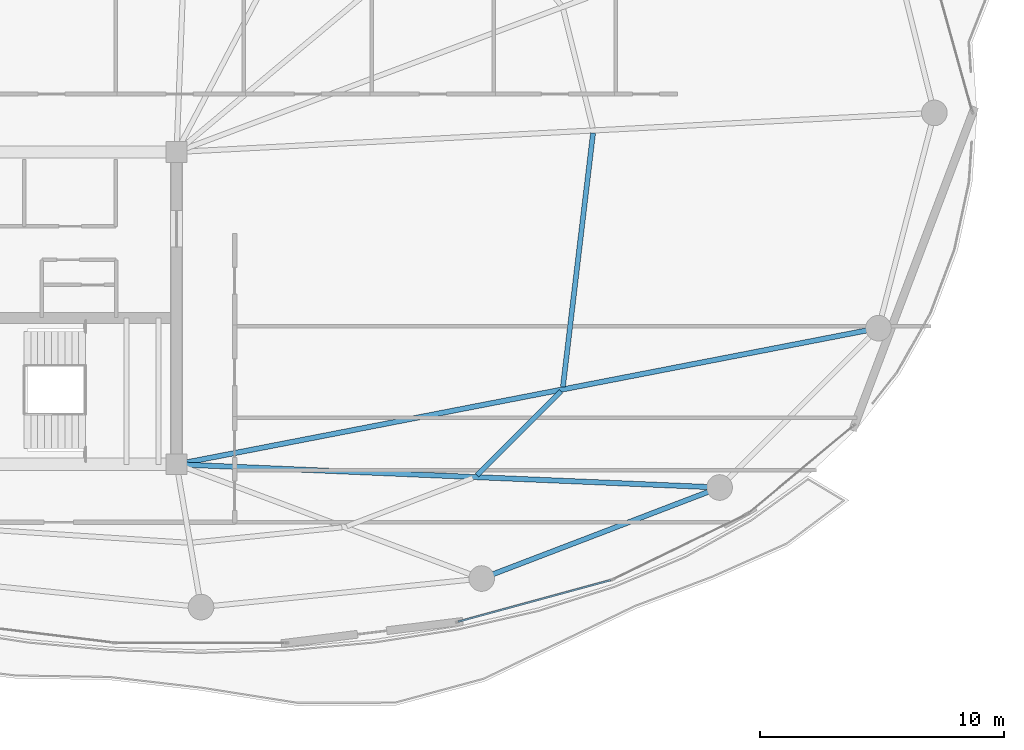
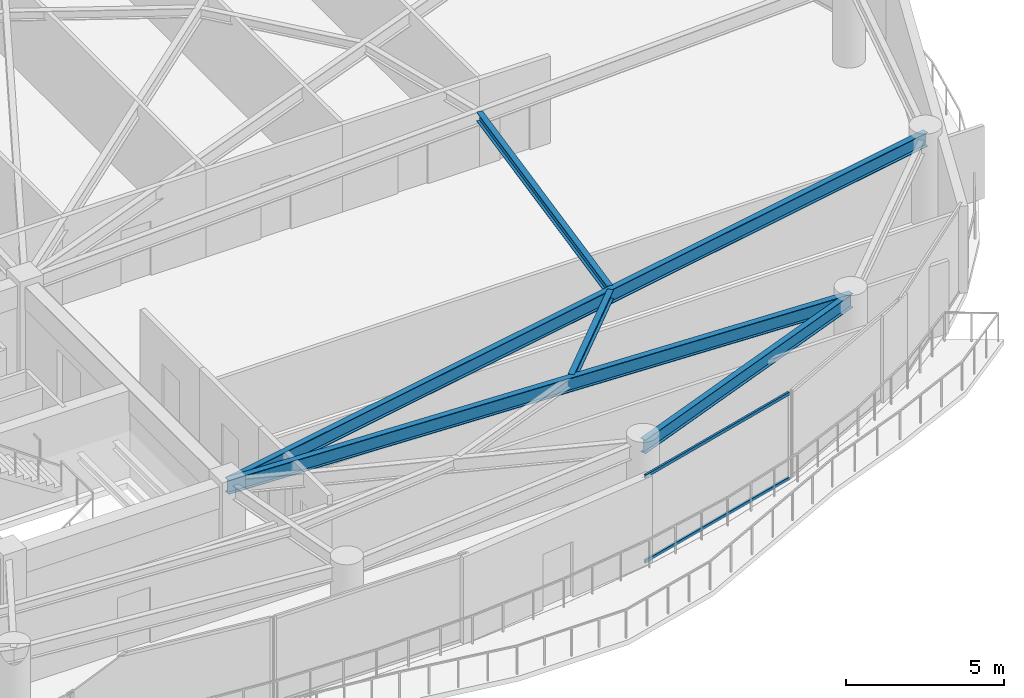
# One storey, part 11 of 29: 5 beams, 2 members, 1 element without a shape of its own.
"""IFC4 building model written with IfcOpenShell, lengths in metres."""

import ifcopenshell
import ifcopenshell.guid

model = None  # the IFC model being written
_history = None  # IfcOwnerHistory: only IFC2X3 demands one
_inside = {}  # id of a spatial element -> (the spatial element, [elements in it])
_under = {}  # id of a project, library or spatial element -> (it, [spatial elements below it])
_declared = {}  # id of a project -> (the project, [libraries it declares])
_typed = {}  # id of a type object -> (the type object, [elements of that type])
_made_of = {}  # id of a material, layer set ... -> (it, [elements and type objects made of it])


def new_model(schema):
    """Start an empty IFC model of exactly this schema.

    Asked for "IFC4X3", IfcOpenShell would pick the latest addendum, in which some entities
    have other attributes; the version numbers below select the first issue.
    IFC2X3 requires an IfcOwnerHistory on every rooted entity: one is made here for all.
    """
    global model, _history
    if schema == "IFC4X3":
        model = ifcopenshell.file(schema_version=(4, 3, 0, 0))
    else:
        model = ifcopenshell.file(schema=schema)
    _inside.clear()
    _under.clear()
    _declared.clear()
    _typed.clear()
    _made_of.clear()
    _history = None
    if model.schema == "IFC2X3":
        org = make("IfcOrganization", Name="unknown")
        user = make(
            "IfcPersonAndOrganization",
            ThePerson=make("IfcPerson", FamilyName="unknown"),
            TheOrganization=org,
        )
        app = make(
            "IfcApplication",
            ApplicationDeveloper=org,
            Version="unknown",
            ApplicationFullName="unknown",
            ApplicationIdentifier="unknown",
        )
        _history = make(
            "IfcOwnerHistory",
            OwningUser=user,
            OwningApplication=app,
            ChangeAction="ADDED",
            CreationDate=0,
        )
    return model


def make(cls, **values):
    """One entity of the class cls with the attributes given. An attribute that is None is left unset."""
    return model.create_entity(
        cls, **{name: value for name, value in values.items() if value is not None}
    )


def rooted(cls, **values):
    """An entity with a GlobalId (a new one), such as an element, a storey or a relation."""
    return make(cls, GlobalId=ifcopenshell.guid.new(), OwnerHistory=_history, **values)


def si_unit(unit_type, name, prefix=None):
    """IfcSIUnit, for example si_unit("LENGTHUNIT", "METRE", prefix="MILLI")."""
    return make("IfcSIUnit", UnitType=unit_type, Prefix=prefix, Name=name)


def assignment(units):
    """IfcUnitAssignment: the units of a project."""
    return None if units is None else make("IfcUnitAssignment", Units=units)


def point(xyz):
    """IfcCartesianPoint."""
    return None if xyz is None else make("IfcCartesianPoint", Coordinates=xyz)


def direction(xyz):
    """IfcDirection."""
    return None if xyz is None else make("IfcDirection", DirectionRatios=xyz)


def frame(location, z_axis=None, x_axis=None):
    """IfcAxis2Placement3D, a coordinate frame: its origin and axes. An axis left out is left unset."""
    return make(
        "IfcAxis2Placement3D",
        Location=point(location),
        Axis=direction(z_axis),
        RefDirection=direction(x_axis),
    )


def frame_2d(location, x_axis=None):
    """IfcAxis2Placement2D, a coordinate frame in the plane: its origin and x axis."""
    return make(
        "IfcAxis2Placement2D", Location=point(location), RefDirection=direction(x_axis)
    )


def origin():
    """The frame at (0, 0, 0) with its axes left unset."""
    return frame((0.0, 0.0, 0.0))


def origin_2d():
    """The frame at (0, 0) in the plane with its x axis left unset."""
    return frame_2d((0.0, 0.0))


def place(relative_to, where):
    """IfcLocalPlacement: puts the frame where relative to a parent placement (None: the world)."""
    return make(
        "IfcLocalPlacement", PlacementRelTo=relative_to, RelativePlacement=where
    )


def context(
    kind, dimensions, precision=None, world=None, true_north=None, identifier=None
):
    """IfcGeometricRepresentationContext, for example the 3D "Model" context."""
    return make(
        "IfcGeometricRepresentationContext",
        ContextIdentifier=identifier,
        ContextType=kind,
        CoordinateSpaceDimension=dimensions,
        Precision=precision,
        WorldCoordinateSystem=world,
        TrueNorth=true_north,
    )


def subcontext(parent, identifier, kind, view, scale=None):
    """IfcGeometricRepresentationSubContext, for example "Body" below "Model"."""
    return make(
        "IfcGeometricRepresentationSubContext",
        ContextIdentifier=identifier,
        ContextType=kind,
        ParentContext=parent,
        TargetScale=scale,
        TargetView=view,
    )


def project(units=None, contexts=None):
    """IfcProject with its units and contexts."""
    return rooted(
        "IfcProject",
        Name="project",
        RepresentationContexts=contexts,
        UnitsInContext=assignment(units),
    )


def spatial(cls, under=None, at=None, **own):
    """A site, building, storey or space (cls), placed at a placement, below another one or the project."""
    s = rooted(cls, ObjectPlacement=at, **own)
    if under is not None:
        _under.setdefault(under.id(), (under, []))[1].append(s)
    return s


def profile(cls, at=None, kind="AREA", **sizes):
    """A parametric profile (cls). Its sizes go by their IFC names, for example OverallWidth=200.0."""
    return make(cls, ProfileType=kind, Position=at, **sizes)


def hollow_rectangle(**sizes):
    """IfcRectangleHollowProfileDef."""
    return profile("IfcRectangleHollowProfileDef", **sizes)


def i_section(**sizes):
    """IfcIShapeProfileDef."""
    return profile("IfcIShapeProfileDef", **sizes)


def extrude(swept, where, along, depth):
    """IfcExtrudedAreaSolid: the profile swept, set in the frame where, extruded along a direction by depth."""
    return make(
        "IfcExtrudedAreaSolid",
        SweptArea=swept,
        Position=where,
        ExtrudedDirection=direction(along),
        Depth=depth,
    )


def shape(context_of_items, identifier, shape_type, items):
    """IfcShapeRepresentation: the items that make up one representation, for example the "Body"."""
    return make(
        "IfcShapeRepresentation",
        ContextOfItems=context_of_items,
        RepresentationIdentifier=identifier,
        RepresentationType=shape_type,
        Items=items,
    )


def material(Name=None, Category=None):
    """IfcMaterial."""
    return make("IfcMaterial", Name=Name, Category=Category)


def layer(
    of_material, thickness, ventilated=None, Name=None, Category=None, Priority=None
):
    """IfcMaterialLayer: one layer of a wall or slab, of a material (None: an air gap)."""
    return make(
        "IfcMaterialLayer",
        Material=of_material,
        LayerThickness=thickness,
        IsVentilated=ventilated,
        Name=Name,
        Category=Category,
        Priority=Priority,
    )


def layer_set(layers, Name=None):
    """IfcMaterialLayerSet."""
    return make("IfcMaterialLayerSet", MaterialLayers=layers, LayerSetName=Name)


def material_profile(
    of_material, cross_section, Name=None, Category=None, Priority=None
):
    """IfcMaterialProfile: a cross section and its material."""
    return make(
        "IfcMaterialProfile",
        Name=Name,
        Material=of_material,
        Profile=cross_section,
        Priority=Priority,
        Category=Category,
    )


def profile_set(profiles, Name=None, composite=None):
    """IfcMaterialProfileSet."""
    return make(
        "IfcMaterialProfileSet",
        Name=Name,
        MaterialProfiles=profiles,
        CompositeProfile=composite,
    )


def made_of(thing, what):
    """Note that an element or type object is made of a material, layer set ...; save() writes the relation."""
    if what is not None:
        _made_of.setdefault(what.id(), (what, []))[1].append(thing)
    return thing


def type_object(cls, material=None, **own):
    """A type object (cls), such as IfcWallType, which elements share."""
    return made_of(rooted(cls, **own), material)


def element(
    cls,
    number,
    at=None,
    inside=None,
    cuts=None,
    type_object=None,
    material=None,
    context=None,
    identifier="Body",
    shape_type=None,
    held_by="IfcProductDefinitionShape",
    body=None,
    shapes=None,
    **own,
):
    """One element of the class cls, such as IfcWall. Its Tag is "e" and its number.

    at: its placement. inside: the storey or other place that contains it. cuts: it is an
    opening in that element (IfcRelVoidsElement). A single representation is given by context,
    identifier, shape_type and body (its items); several are given by shapes. held_by: the class
    of the entity that holds the representations. save() writes the other relations.
    """
    e = rooted(cls, Tag="e%d" % number, ObjectPlacement=at, **own)
    if body is not None:
        shapes = [shape(context, identifier, shape_type, body)]
    if shapes is not None:
        e.Representation = make(held_by, Representations=shapes)
    if inside is not None:
        _inside.setdefault(inside.id(), (inside, []))[1].append(e)
    if cuts is not None:
        rooted(
            "IfcRelVoidsElement", RelatingBuildingElement=cuts, RelatedOpeningElement=e
        )
    if type_object is not None:
        _typed.setdefault(type_object.id(), (type_object, []))[1].append(e)
    return made_of(e, material)


def aggregate(whole, parts):
    """IfcRelAggregates: a whole, such as a stair, and the parts it consists of."""
    return rooted("IfcRelAggregates", RelatingObject=whole, RelatedObjects=parts)


def save(model, path):
    """Write the relations noted so far, then the file.

    IfcRelAggregates (storeys below a building ...), IfcRelContainedInSpatialStructure (elements
    in a storey), IfcRelDefinesByType, IfcRelAssociatesMaterial and IfcRelDeclares: one each for
    every whole, place, type object, material and project.
    """
    for whole, parts in _under.values():
        aggregate(whole, parts)
    for where, things in _inside.values():
        rooted(
            "IfcRelContainedInSpatialStructure",
            RelatedElements=things,
            RelatingStructure=where,
        )
    for kind, things in _typed.values():
        rooted("IfcRelDefinesByType", RelatedObjects=things, RelatingType=kind)
    for what, things in _made_of.values():
        rooted("IfcRelAssociatesMaterial", RelatedObjects=things, RelatingMaterial=what)
    for by, libraries in _declared.values():
        rooted("IfcRelDeclares", RelatingContext=by, RelatedDefinitions=libraries)
    model.write(path)


model = new_model("IFC4")

# Units and contexts
model_context = context("Model", 3, precision=1e-05, world=origin(), true_north=direction((0.0, 1.0)))
body_context = subcontext(model_context, "Body", "Model", "MODEL_VIEW")
ifc_project = project(units=[si_unit("LENGTHUNIT", "METRE"), si_unit("AREAUNIT", "SQUARE_METRE"), si_unit("VOLUMEUNIT", "CUBIC_METRE"), si_unit("PLANEANGLEUNIT", "RADIAN"), si_unit("MASSUNIT", "GRAM", prefix="KILO")], contexts=[model_context])

# Site, building, storey
site_placement = place(None, origin())
site = spatial("IfcSite", under=ifc_project, at=site_placement, CompositionType="ELEMENT")
building_placement = place(site_placement, origin())
building = spatial("IfcBuilding", under=site, at=building_placement, Name="Kazevale Care Tower and Concert Hall", CompositionType="ELEMENT")
storey_placement = place(building_placement, frame((0.0, 0.0, 199.199951171875)))
storey = spatial("IfcBuildingStorey", under=building, at=storey_placement, Name="L52", CompositionType="ELEMENT", Elevation=199.199951171875)

# Curtain wall, members
ifc_material_1 = material(Name="Aluminium 6063-T6 and Low-E Glass", Category="aluminium")
ifc_layer = layer(ifc_material_1, 0.179931640625)
ifc_layer_set = layer_set([ifc_layer], Name="Aluminium 6063-T6 and Low-E Glass")
curtain_wall_type = type_object("IfcCurtainWallType", Name="Sheltered Concave Balcony Curtain Wall CW-5", PredefinedType="NOTDEFINED", material=ifc_layer_set)
curtain_wall_placement = place(storey_placement, origin())
curtain_wall = element("IfcCurtainWall", 1, at=curtain_wall_placement, inside=storey, type_object=curtain_wall_type, Name="cw:L52:f04", PredefinedType="NOTDEFINED")
ifc_material_2 = material(Name="Aluminium 6063-T6", Category="aluminium")
ifc_material_profile_1 = material_profile(ifc_material_2, hollow_rectangle(XDim=0.074951171875, YDim=0.1201171875, WallThickness=0.00390625, at=origin_2d()), Name="ALU75x120x4")
ifc_profile_set_1 = profile_set([ifc_material_profile_1], Name="Aluminium 6063-T6")
member_type = type_object("IfcMemberType", Name="CW-5 Transom ALU75x120x4", PredefinedType="USERDEFINED", material=ifc_profile_set_1)
member_1_placement = place(storey_placement, frame((61.78369140625, 18.853271484375, 0.03759765625), z_axis=(-0.964843890632, -0.262823641842, 0.0), x_axis=(0.262823641842, -0.964843890632, 0.0)))
member_1 = element("IfcMember", 2, at=member_1_placement, type_object=member_type, Name="CW-5 transom 1.1", ObjectType="TRANSOM", PredefinedType="USERDEFINED", context=body_context, shape_type="SweptSolid", body=[
    extrude(hollow_rectangle(XDim=0.074951171875, YDim=0.1201171875, WallThickness=0.00390625, at=origin_2d()), origin(), (0.0, 0.0, 1.0), 6.469970703125),
])
member_2_placement = place(storey_placement, frame((61.78369140625, 18.853271484375, 3.322509765625), z_axis=(-0.964843890632, -0.262823641842, 0.0), x_axis=(0.262823641842, -0.964843890632, 0.0)))
member_2 = element("IfcMember", 3, at=member_2_placement, type_object=member_type, Name="CW-5 transom 1.2", ObjectType="TRANSOM", PredefinedType="USERDEFINED", context=body_context, shape_type="SweptSolid", body=[
    extrude(hollow_rectangle(XDim=0.074951171875, YDim=0.1201171875, WallThickness=0.00390625, at=origin_2d()), origin(), (0.0, 0.0, 1.0), 6.469970703125),
])
aggregate(curtain_wall, [member_1, member_2])

# Beams
ifc_material_3 = material(Name="Steel ASTM A572 Gr 50", Category="steel")
ifc_material_profile_2 = material_profile(ifc_material_3, i_section(OverallWidth=0.2119140625, OverallDepth=0.5439453125, WebThickness=0.01318359375, FlangeThickness=0.021240234375, at=origin_2d()), Name="W530x123")
ifc_profile_set_2 = profile_set([ifc_material_profile_2], Name="Steel ASTM A572 Gr 50")
beam_type_1 = type_object("IfcBeamType", Name="Radial Floor Girder W530x123", PredefinedType="BEAM", material=ifc_profile_set_2)
beam_1_placement = place(storey_placement, frame((44.0, 23.60009765625, 3.088134765625), z_axis=(0.999089369477, -0.042666518456, 0.0), x_axis=(0.042666518456, 0.999089369477, 0.0)))
element("IfcBeam", 4, at=beam_1_placement, inside=storey, type_object=beam_type_1, Name="beam:L52:rad:15", PredefinedType="BEAM", context=body_context, shape_type="SweptSolid", body=[
    extrude(i_section(OverallWidth=0.2119140625, OverallDepth=0.5439453125, WebThickness=0.01318359375, FlangeThickness=0.021240234375, at=origin_2d()), origin(), (0.0, 0.0, 1.0), 22.270263671875),
])
beam_2_placement = place(storey_placement, frame((44.0, 23.60009765625, 3.088134765625), z_axis=(0.981694544574, 0.190462125247, 0.0), x_axis=(-0.190462125247, 0.981694544574, 0.0)))
element("IfcBeam", 5, at=beam_2_placement, inside=storey, type_object=beam_type_1, Name="beam:L52:rad:16", PredefinedType="BEAM", context=body_context, shape_type="SweptSolid", body=[
    extrude(i_section(OverallWidth=0.2119140625, OverallDepth=0.5439453125, WebThickness=0.01318359375, FlangeThickness=0.021240234375, at=origin_2d()), origin(), (0.0, 0.0, 1.0), 29.29638671875),
])
ifc_material_profile_3 = material_profile(ifc_material_3, i_section(OverallWidth=0.205078125, OverallDepth=0.35400390625, WebThickness=0.009521484375, FlangeThickness=0.016845703125, at=origin_2d()), Name="W360x79")
ifc_profile_set_3 = profile_set([ifc_material_profile_3], Name="Steel ASTM A572 Gr 50")
beam_type_2 = type_object("IfcBeamType", Name="Secondary Floor Joist W360x79", PredefinedType="JOIST", material=ifc_profile_set_3)
beam_3_placement = place(storey_placement, frame((56.31201171875, 23.152099609375, 3.18310546875), z_axis=(0.705975874919, 0.708235881633, 0.0), x_axis=(-0.708235881633, 0.705975874919, 0.0)))
element("IfcBeam", 6, at=beam_3_placement, inside=storey, type_object=beam_type_2, Name="beam:L52:joist:15", PredefinedType="JOIST", context=body_context, shape_type="SweptSolid", body=[
    extrude(i_section(OverallWidth=0.205078125, OverallDepth=0.35400390625, WebThickness=0.009521484375, FlangeThickness=0.016845703125, at=origin_2d()), origin(), (0.0, 0.0, 1.0), 4.861083984375),
])
beam_4_placement = place(storey_placement, frame((59.830078125, 26.77294921875, 3.18310546875), z_axis=(0.117874218468, 0.993028533639, 0.0), x_axis=(-0.993028533639, 0.117874218468, 0.0)))
element("IfcBeam", 7, at=beam_4_placement, inside=storey, type_object=beam_type_2, Name="beam:L52:joist:16", PredefinedType="JOIST", context=body_context, shape_type="SweptSolid", body=[
    extrude(i_section(OverallWidth=0.205078125, OverallDepth=0.35400390625, WebThickness=0.009521484375, FlangeThickness=0.016845703125, at=origin_2d()), origin(), (0.0, 0.0, 1.0), 10.47607421875),
])
ifc_material_profile_4 = material_profile(ifc_material_3, i_section(OverallWidth=0.208984375, OverallDepth=0.532958984375, WebThickness=0.01025390625, FlangeThickness=0.015625, at=origin_2d()), Name="W530x92")
ifc_profile_set_4 = profile_set([ifc_material_profile_4], Name="Steel ASTM A572 Gr 50")
beam_type_3 = type_object("IfcBeamType", Name="Upper Ring Beam W530x92", PredefinedType="BEAM", material=ifc_profile_set_4)
beam_5_placement = place(storey_placement, frame((56.5, 18.919921875, 3.093505859375), z_axis=(0.933986653173, 0.357307894811, 0.0), x_axis=(-0.357307894811, 0.933986653173, 0.0)))
element("IfcBeam", 8, at=beam_5_placement, inside=storey, type_object=beam_type_3, Name="beam:L52:ring:14", PredefinedType="BEAM", context=body_context, shape_type="SweptSolid", body=[
    extrude(i_section(OverallWidth=0.208984375, OverallDepth=0.532958984375, WebThickness=0.01025390625, FlangeThickness=0.015625, at=origin_2d()), origin(), (0.0, 0.0, 1.0), 10.439208984375),
])

save(model, "model.ifc")
